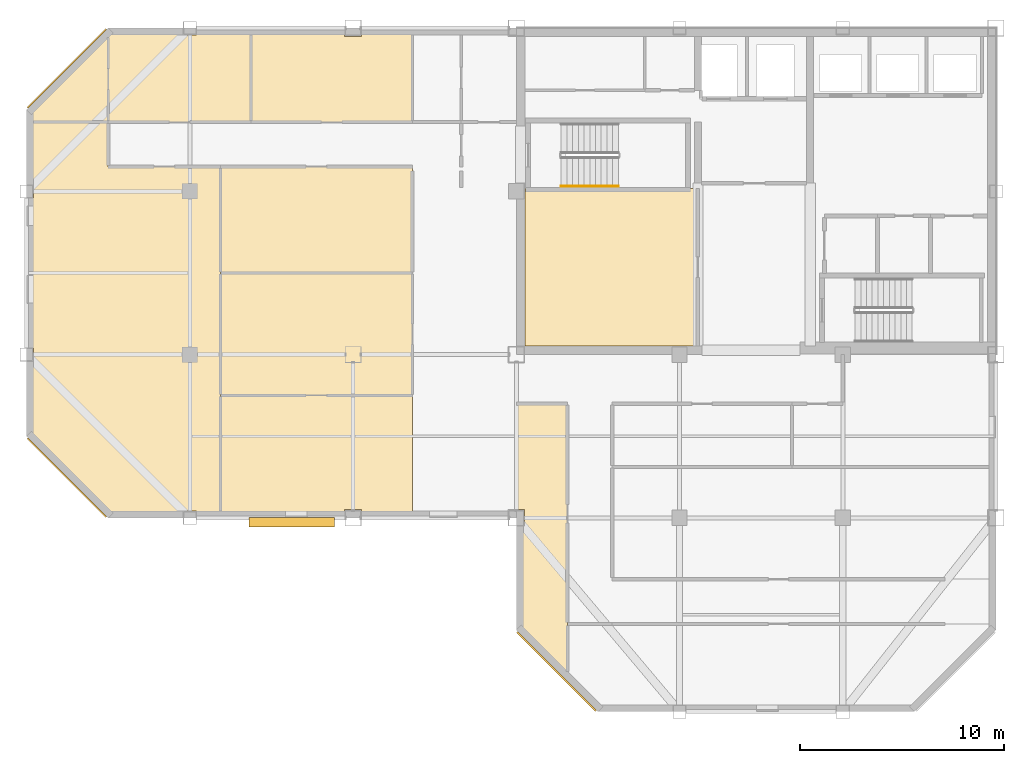
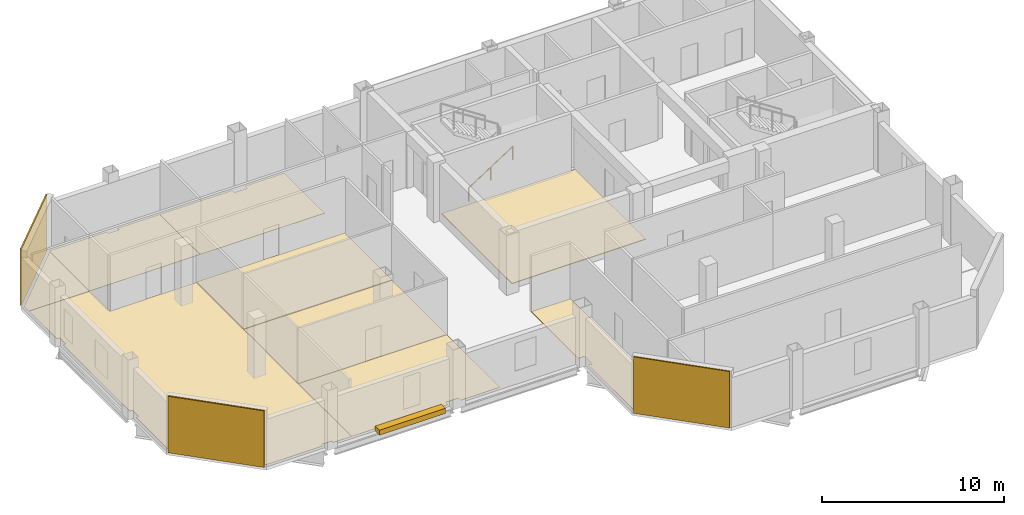
# One storey, part 5 of 7: 12 coverings, 1 railing, 1 shading device.
"""IFC4 building model written with IfcOpenShell, lengths in metres."""

from ifc_helpers import new_model, si_unit, direction, frame, origin, origin_2d, place, context, subcontext, project, spatial, polyline, rectangle, circle, outline, extrude, material, layer, layer_set, type_object, element, save


model = new_model("IFC4")

# Units and contexts
model_context = context("Model", 3, precision=1e-05, world=origin(), true_north=direction((0.0, 1.0)))
body_context = subcontext(model_context, "Body", "Model", "MODEL_VIEW")
ifc_project = project(units=[si_unit("LENGTHUNIT", "METRE"), si_unit("AREAUNIT", "SQUARE_METRE"), si_unit("VOLUMEUNIT", "CUBIC_METRE"), si_unit("PLANEANGLEUNIT", "RADIAN"), si_unit("MASSUNIT", "GRAM", prefix="KILO")], contexts=[model_context])

# Site, building, storey
site_placement = place(None, origin())
site = spatial("IfcSite", under=ifc_project, at=site_placement, CompositionType="ELEMENT")
building_placement = place(site_placement, origin())
building = spatial("IfcBuilding", under=site, at=building_placement, Name="Qianrong Seaharbour Tower", CompositionType="ELEMENT")
storey_placement = place(building_placement, frame((0.0, 0.0, 339.199951171875)))
storey = spatial("IfcBuildingStorey", under=building, at=storey_placement, Name="L82", CompositionType="ELEMENT", Elevation=339.199951171875)

# Coverings
ifc_material_1 = material(Name="Unitised red brick cladding on Precast concrete C45/55", Category="masonry")
ifc_layer_1 = layer(ifc_material_1, 0.080078125)
ifc_layer_set_1 = layer_set([ifc_layer_1], Name="Unitised red brick cladding on Precast concrete C45/55")
covering_type_1 = type_object("IfcCoveringType", Name="COV-CLAD-RED-BRICK-80", PredefinedType="CLADDING", material=ifc_layer_set_1)
for number, where, z_axis, x_axis, name in (
    (1, (18.4716796875, 29.9716796875, 0.0), (0.0, 0.0, 1.0), (-0.707106781187, 0.707106781187, 0.0), "L82 Chamfer Corner Brick Cladding 02"),
    (2, (18.4716796875, 50.0283203125, 0.0), (0.0, 0.0, 1.0), (0.707106781187, 0.707106781187, 0.0), "L82 Chamfer Corner Brick Cladding 04"),
    (3, (42.4716796875, 20.4716796875, 0.0), (0.0, 0.0, 1.0), (-0.707106781187, 0.707106781187, 0.0), "L82 Chamfer Corner Brick Cladding 09"),
):
    element("IfcCovering", number, at=place(storey_placement, frame(where, z_axis=z_axis, x_axis=x_axis)), inside=storey, type_object=covering_type_1, Name=name, PredefinedType="CLADDING", context=body_context, shape_type="SweptSolid", body=[
        extrude(rectangle(XDim=5.456787109375, YDim=0.080078125, at=origin_2d()), origin(), (0.0, 0.0, 1.0), 3.784912109375),
    ])
ifc_material_2 = material(Name="Acoustic modular carpet tile flooring")
ifc_layer_2 = layer(ifc_material_2, 0.02001953125)
ifc_layer_set_2 = layer_set([ifc_layer_2], Name="Acoustic modular carpet tile flooring")
covering_type_2 = type_object("IfcCoveringType", Name="COV-FLOOR-CARPET-20", PredefinedType="FLOORING", material=ifc_layer_set_2)
covering_1_placement = place(storey_placement, origin())
element("IfcCovering", 4, at=covering_1_placement, inside=storey, type_object=covering_type_2, Name="L82 Occupational Health Clinic 1 Finish Flooring", PredefinedType="FLOORING", context=body_context, shape_type="SweptSolid", body=[
    extrude(outline(polyline([(16.6650390625, 47.931640625), (20.5, 51.7666015625), (20.5, 47.39990234375), (16.6650390625, 47.39990234375), (16.6650390625, 47.931640625)])), origin(), (0.0, 0.0, 1.0), 0.02001953125),
])
covering_2_placement = place(storey_placement, origin())
element("IfcCovering", 5, at=covering_2_placement, inside=storey, type_object=covering_type_2, Name="L82 Physiotherapy Room 2 Finish Flooring", PredefinedType="FLOORING", context=body_context, shape_type="SweptSolid", body=[
    extrude(outline(polyline([(20.5, 51.7666015625), (20.568359375, 51.8349609375), (24.1650390625, 51.8349609375), (24.1650390625, 51.6650390625), (24.8349609375, 51.6650390625), (24.8349609375, 51.8349609375), (27.5, 51.8349609375), (27.5, 47.39990234375), (20.5, 47.39990234375), (20.5, 51.7666015625)])), origin(), (0.0, 0.0, 1.0), 0.02001953125),
])
covering_3_placement = place(storey_placement, origin())
element("IfcCovering", 6, at=covering_3_placement, inside=storey, type_object=covering_type_2, Name="L82 First Aid Nursing Room 3 Finish Flooring", PredefinedType="FLOORING", context=body_context, shape_type="SweptSolid", body=[
    extrude(outline(polyline([(27.5, 51.8349609375), (32.090087890625, 51.8349609375), (32.090087890625, 51.590087890625), (32.909912109375, 51.590087890625), (32.909912109375, 51.8349609375), (35.39990234375, 51.8349609375), (35.39990234375, 47.39990234375), (27.5, 47.39990234375), (27.5, 51.8349609375)])), origin(), (0.0, 0.0, 1.0), 0.02001953125),
])
covering_4_placement = place(storey_placement, origin())
element("IfcCovering", 7, at=covering_4_placement, inside=storey, type_object=covering_type_2, Name="L82 Wellness Exercise Hall Finish Flooring", PredefinedType="FLOORING", context=body_context, shape_type="SweptSolid", body=[
    extrude(outline(polyline([(24.8349609375, 28.1650390625), (24.8349609375, 28.3349609375), (24.1650390625, 28.3349609375), (24.1650390625, 28.1650390625), (20.568359375, 28.1650390625), (16.6650390625, 32.068359375), (16.6650390625, 35.6650390625), (16.8349609375, 35.6650390625), (16.8349609375, 36.3349609375), (16.6650390625, 36.3349609375), (16.6650390625, 43.6650390625), (16.8349609375, 43.6650390625), (16.8349609375, 44.3349609375), (16.6650390625, 44.3349609375), (16.6650390625, 47.39990234375), (20.5, 47.39990234375), (20.5, 45.199951171875), (26.0, 45.199951171875), (26.0, 28.1650390625), (24.8349609375, 28.1650390625)])), origin(), (0.0, 0.0, 1.0), 0.02001953125),
])
covering_5_placement = place(storey_placement, origin())
element("IfcCovering", 8, at=covering_5_placement, inside=storey, type_object=covering_type_2, Name="L82 Medical Examination Room 1 Finish Flooring", PredefinedType="FLOORING", context=body_context, shape_type="SweptSolid", body=[
    extrude(outline(polyline([(35.39990234375, 28.1650390625), (32.909912109375, 28.1650390625), (32.909912109375, 28.409912109375), (32.090087890625, 28.409912109375), (32.090087890625, 28.1650390625), (26.0, 28.1650390625), (26.0, 34.0), (35.39990234375, 34.0), (35.39990234375, 28.1650390625)])), origin(), (0.0, 0.0, 1.0), 0.02001953125),
])
covering_6_placement = place(storey_placement, origin())
element("IfcCovering", 9, at=covering_6_placement, inside=storey, type_object=covering_type_2, Name="L82 Wet Pantry 2 Finish Flooring", PredefinedType="FLOORING", context=body_context, shape_type="SweptSolid", body=[
    extrude(outline(polyline([(35.39990234375, 40.0), (35.39990234375, 34.0), (26.0, 34.0), (26.0, 40.0), (35.39990234375, 40.0)])), origin(), (0.0, 0.0, 1.0), 0.02001953125),
])
covering_7_placement = place(storey_placement, origin())
element("IfcCovering", 10, at=covering_7_placement, inside=storey, type_object=covering_type_2, Name="L82 Clinical Dispensary Store Finish Flooring", PredefinedType="FLOORING", context=body_context, shape_type="SweptSolid", body=[
    extrude(outline(polyline([(43.0, 20.2333984375), (40.6650390625, 22.568359375), (40.6650390625, 27.590087890625), (40.909912109375, 27.590087890625), (40.909912109375, 28.409912109375), (40.5, 28.409912109375), (40.5, 33.60009765625), (43.0, 33.60009765625), (43.0, 20.2333984375)])), origin(), (0.0, 0.0, 1.0), 0.02001953125),
])
ifc_material_3 = material(Name="Calcium-sulphate raised access floor tile")
ifc_layer_3 = layer(ifc_material_3, 0.044921875)
ifc_layer_set_3 = layer_set([ifc_layer_3], Name="Calcium-sulphate raised access floor tile")
covering_type_3 = type_object("IfcCoveringType", Name="COV-FLOOR-RAISED-45", PredefinedType="FLOORING", material=ifc_layer_set_3)
covering_8_placement = place(storey_placement, origin())
element("IfcCovering", 11, at=covering_8_placement, inside=storey, type_object=covering_type_3, Name="L82 Data Systems Office Finish Flooring", PredefinedType="FLOORING", context=body_context, shape_type="SweptSolid", body=[
    extrude(outline(polyline([(49.39990234375, 44.14990234375), (49.39990234375, 36.419921875), (40.919921875, 36.419921875), (40.919921875, 44.14990234375), (49.39990234375, 44.14990234375)])), origin(), (0.0, 0.0, 1.0), 0.045166015625),
])
covering_9_placement = place(storey_placement, origin())
element("IfcCovering", 12, at=covering_9_placement, inside=storey, type_object=covering_type_3, Name="L82 Records Office 3 Finish Flooring", PredefinedType="FLOORING", context=body_context, shape_type="SweptSolid", body=[
    extrude(outline(polyline([(35.39990234375, 45.199951171875), (35.39990234375, 40.0), (26.0, 40.0), (26.0, 45.199951171875), (35.39990234375, 45.199951171875)])), origin(), (0.0, 0.0, 1.0), 0.045166015625),
])

# Railing
ifc_material_4 = material(Name="Stainless steel SUS316L continuous handrail", Category="steel")
railing_type = type_object("IfcRailingType", Name="RAIL-STAIR-HANDRAIL-900", PredefinedType="HANDRAIL", material=ifc_material_4)
railing_placement = place(storey_placement, frame((42.699951171875, 44.25, 0.181884765625)))
element("IfcRailing", 13, at=railing_placement, inside=storey, type_object=railing_type, Name="L82 ST-1 stair handrail 1", PredefinedType="HANDRAIL", context=body_context, shape_type="SweptSolid", body=[
    extrude(circle(Radius=0.02392578125, at=origin_2d()), frame((0.0, 0.0, 0.8759765625), z_axis=(0.838705829183, 0.0, 0.544584733623), x_axis=(0.0, 1.0, 0.0)), (0.0, 0.0, 1.0), 3.338623046875),
    extrude(circle(Radius=0.02099609375, at=origin_2d()), origin(), (0.0, 0.0, 1.0), 0.851806640625),
    extrude(circle(Radius=0.02099609375, at=origin_2d()), frame((1.39990234375, 0.0, 0.9091796875)), (0.0, 0.0, 1.0), 0.851806640625),
    extrude(circle(Radius=0.02099609375, at=origin_2d()), frame((2.800048828125, 0.0, 1.818115234375)), (0.0, 0.0, 1.0), 0.851806640625),
])

# Shading device
ifc_material_5 = material(Name="White architectural precast concrete C45/55", Category="concrete")
shading_device_type = type_object("IfcShadingDeviceType", Name="SHD-SUNSHADE-WHITE-320", PredefinedType="AWNING", material=ifc_material_5)
shading_device_placement = place(storey_placement, frame((29.5, 27.780029296875, -0.02001953125), z_axis=(0.0, 0.0, 1.0), x_axis=(1.0, 0.0, 0.0)))
element("IfcShadingDevice", 14, at=shading_device_placement, inside=storey, type_object=shading_device_type, Name="L82 Climbing White Precast Ribbon Canopy Fin", PredefinedType="AWNING", context=body_context, shape_type="SweptSolid", body=[
    extrude(rectangle(XDim=4.199951171875, YDim=0.4599609375, at=origin_2d()), origin(), (0.0, 0.0, 1.0), 0.340087890625),
])

save(model, "model.ifc")
